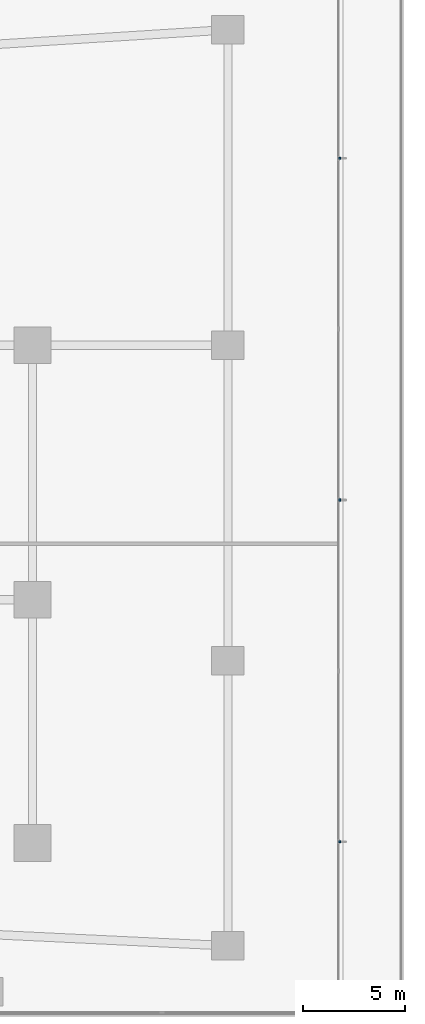
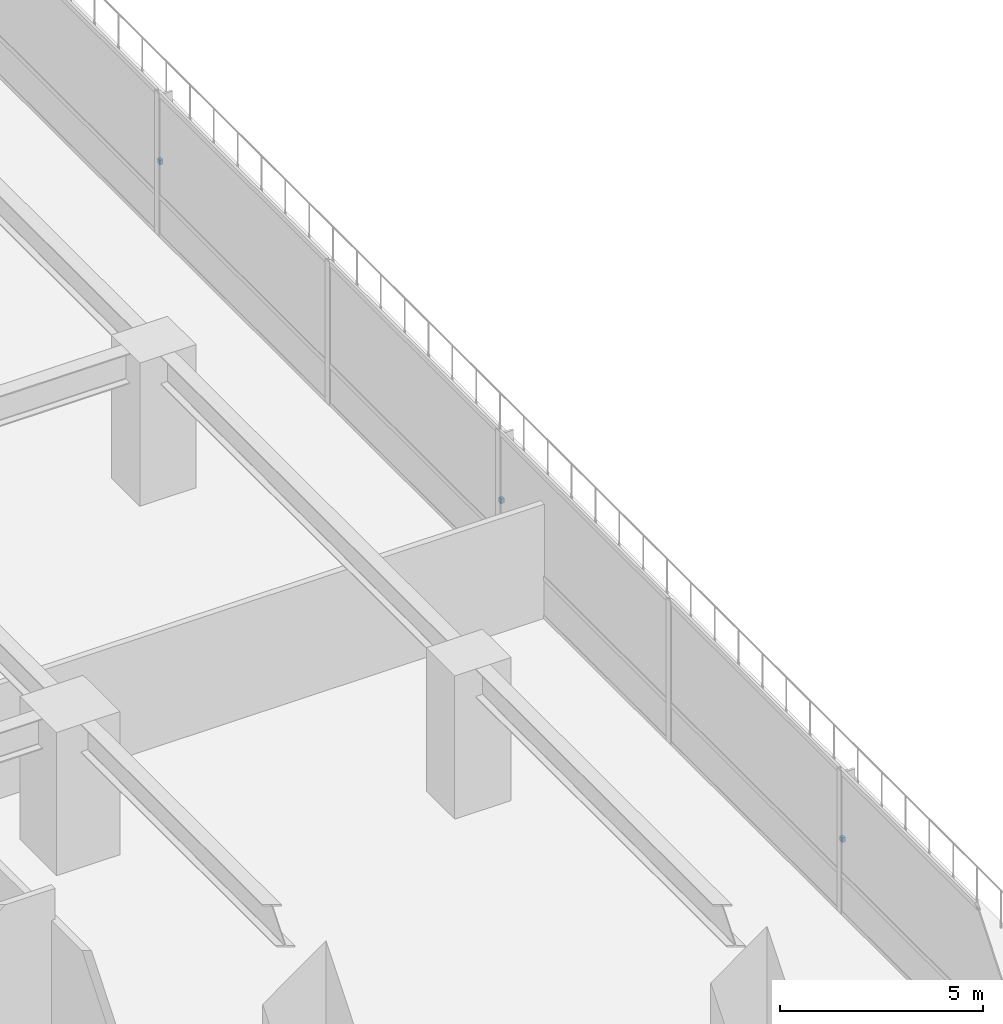
# One storey, part 17 of 27: 3 discrete accessories.
"""IFC4 building model written with IfcOpenShell, lengths in metres."""

from ifc_helpers import new_model, si_unit, direction, frame, origin, place, context, subcontext, project, spatial, polyline, outline, extrude, material, type_object, element, save


model = new_model("IFC4")

# Units and contexts
model_context = context("Model", 3, precision=1e-05, world=origin(), true_north=direction((0.0, 1.0)))
body_context = subcontext(model_context, "Body", "Model", "MODEL_VIEW")
ifc_project = project(units=[si_unit("LENGTHUNIT", "METRE"), si_unit("AREAUNIT", "SQUARE_METRE"), si_unit("VOLUMEUNIT", "CUBIC_METRE"), si_unit("PLANEANGLEUNIT", "RADIAN"), si_unit("MASSUNIT", "GRAM", prefix="KILO")], contexts=[model_context])

# Site, building, storey
site_placement = place(None, origin())
site = spatial("IfcSite", under=ifc_project, at=site_placement, CompositionType="ELEMENT")
building_placement = place(site_placement, origin())
building = spatial("IfcBuilding", under=site, at=building_placement, Name="Qalmaran Belvedere Hotel", CompositionType="ELEMENT")
storey_placement = place(building_placement, frame((0.0, 0.0, 5.39990234375)))
storey = spatial("IfcBuildingStorey", under=building, at=storey_placement, Name="L01", CompositionType="ELEMENT", Elevation=5.39990234375)

# Discrete accessories
ifc_material = material(Name="Stainless Steel 1.4401", Category="steel")
discrete_accessory_type = type_object("IfcDiscreteAccessoryType", Name="BRK-FIN-SS316", PredefinedType="BRACKET", material=ifc_material)
discrete_accessory_1_placement = place(storey_placement, frame((0.0, 0.0, 2.10009765625)))
element("IfcDiscreteAccessory", 1, at=discrete_accessory_1_placement, inside=storey, type_object=discrete_accessory_type, Name="L01 Fin Bracket 1", PredefinedType="BRACKET", context=body_context, shape_type="SweptSolid", body=[
    extrude(outline(polyline([(75.794921875, 8.558349609375), (75.892578125, 8.558349609375), (75.892578125, 8.668212890625), (75.794921875, 8.668212890625), (75.794921875, 8.558349609375)])), origin(), (0.0, 0.0, 1.0), 0.139892578125),
])
discrete_accessory_2_placement = place(storey_placement, frame((0.0, 0.0, 2.10009765625)))
element("IfcDiscreteAccessory", 2, at=discrete_accessory_2_placement, inside=storey, type_object=discrete_accessory_type, Name="L01 Fin Bracket 3", PredefinedType="BRACKET", context=body_context, shape_type="SweptSolid", body=[
    extrude(outline(polyline([(75.794921875, 25.344970703125), (75.892578125, 25.344970703125), (75.892578125, 25.455078125), (75.794921875, 25.455078125), (75.794921875, 25.344970703125)])), origin(), (0.0, 0.0, 1.0), 0.139892578125),
])
discrete_accessory_3_placement = place(storey_placement, frame((0.0, 0.0, 2.10009765625)))
element("IfcDiscreteAccessory", 3, at=discrete_accessory_3_placement, inside=storey, type_object=discrete_accessory_type, Name="L01 Fin Bracket 5", PredefinedType="BRACKET", context=body_context, shape_type="SweptSolid", body=[
    extrude(outline(polyline([(75.794921875, 42.131591796875), (75.892578125, 42.131591796875), (75.892578125, 42.24169921875), (75.794921875, 42.24169921875), (75.794921875, 42.131591796875)])), origin(), (0.0, 0.0, 1.0), 0.139892578125),
])

save(model, "model.ifc")
